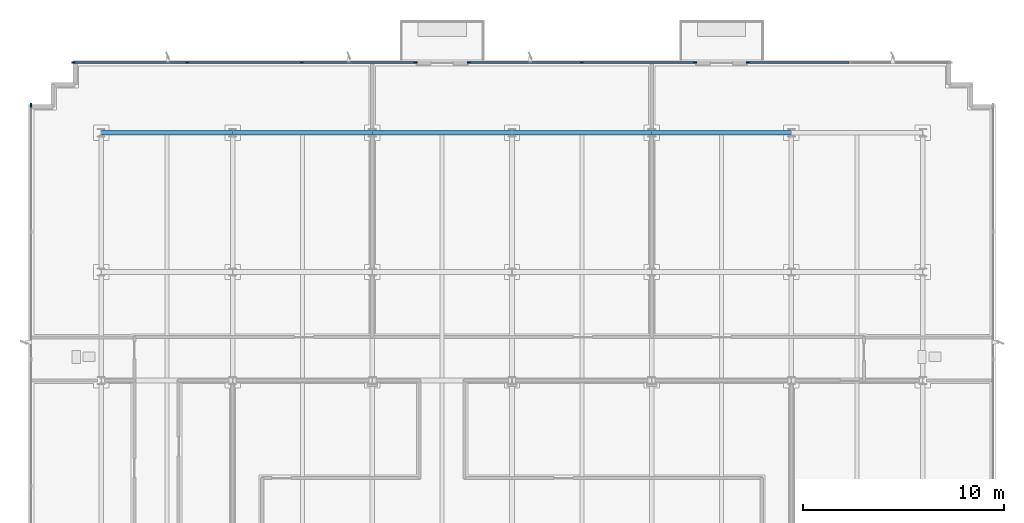
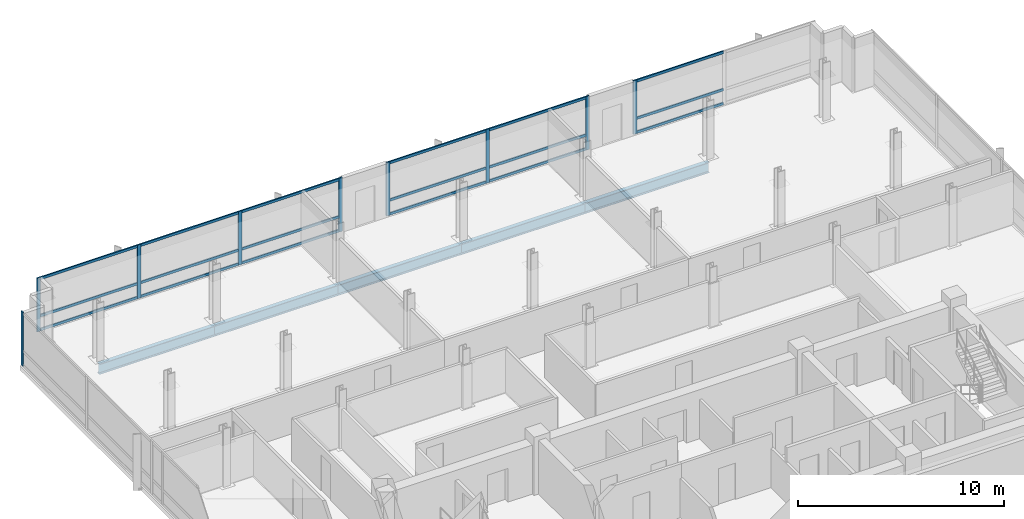
# One storey, part 5 of 15: 27 members, 5 beams, 4 elements without a shape of their own.
"""IFC4 building model written with IfcOpenShell, lengths in metres."""

from ifc_helpers import new_model, si_unit, direction, frame, origin, origin_2d, place, context, subcontext, project, spatial, rectangle, i_section, extrude, material, material_profile, profile_set, type_object, element, aggregate, save


model = new_model("IFC4")

# Units and contexts
model_context = context("Model", 3, precision=1e-05, world=origin(), true_north=direction((0.0, 1.0)))
body_context = subcontext(model_context, "Body", "Model", "MODEL_VIEW")
ifc_project = project(units=[si_unit("LENGTHUNIT", "METRE"), si_unit("AREAUNIT", "SQUARE_METRE"), si_unit("VOLUMEUNIT", "CUBIC_METRE"), si_unit("PLANEANGLEUNIT", "RADIAN"), si_unit("MASSUNIT", "GRAM", prefix="KILO")], contexts=[model_context])

# Site, building, storey
site_placement = place(None, origin())
site = spatial("IfcSite", under=ifc_project, at=site_placement, CompositionType="ELEMENT")
building_placement = place(site_placement, origin())
building = spatial("IfcBuilding", under=site, at=building_placement, Name="Solmavex Isthmus Hotel", CompositionType="ELEMENT")
storey_placement = place(building_placement, frame((0.0, 0.0, 273.0)))
storey = spatial("IfcBuildingStorey", under=building, at=storey_placement, Name="L74", CompositionType="ELEMENT", Elevation=273.0)

# Beams
ifc_material_1 = material(Name="Steel ASTM A992 Grade 50", Category="steel")
ifc_material_profile_1 = material_profile(ifc_material_1, i_section(OverallWidth=0.230224609375, OverallDepth=0.617431640625, WebThickness=0.01318359375, FlangeThickness=0.022216796875, FilletRadius=0.01513671875, at=origin_2d()), Name="W24X94")
ifc_profile_set_1 = profile_set([ifc_material_profile_1], Name="Steel ASTM A992 Grade 50")
beam_type = type_object("IfcBeamType", Name="BM-SP-W24X94", PredefinedType="SPANDREL", material=ifc_profile_set_1)
beam_placement = place(storey_placement, frame((-20.39990234375, 17.699951171875, -0.56884765625), z_axis=(1.0, 0.0, 0.0), x_axis=(0.0, 1.0, 0.0)))
element("IfcBeam", 1, at=beam_placement, inside=storey, type_object=beam_type, Name="Floor Girder L74-UG15", PredefinedType="SPANDREL", context=body_context, shape_type="SweptSolid", body=[
    extrude(i_section(OverallWidth=0.230224609375, OverallDepth=0.617431640625, WebThickness=0.01318359375, FlangeThickness=0.022216796875, FilletRadius=0.01513671875, at=origin_2d()), origin(), (0.0, 0.0, 1.0), 6.52783203125),
])
for number, where, z_axis, x_axis, name in (
    (2, (-13.8720703125, 17.699951171875, -0.56884765625), (1.0, 0.0, 0.0), (0.0, 1.0, 0.0), "Floor Girder L74-UG16"),
    (3, (-6.93603515625, 17.699951171875, -0.56884765625), (1.0, 0.0, 0.0), (0.0, 1.0, 0.0), "Floor Girder L74-UG17"),
    (4, (0.0, 17.699951171875, -0.56884765625), (1.0, 0.0, 0.0), (0.0, 1.0, 0.0), "Floor Girder L74-UG18"),
    (5, (6.93603515625, 17.699951171875, -0.56884765625), (1.0, 0.0, 0.0), (0.0, 1.0, 0.0), "Floor Girder L74-UG19"),
):
    element("IfcBeam", number, at=place(storey_placement, frame(where, z_axis=z_axis, x_axis=x_axis)), inside=storey, type_object=beam_type, Name=name, PredefinedType="SPANDREL", context=body_context, shape_type="SweptSolid", body=[
        extrude(i_section(OverallWidth=0.230224609375, OverallDepth=0.617431640625, WebThickness=0.01318359375, FlangeThickness=0.022216796875, FilletRadius=0.01513671875, at=origin_2d()), origin(), (0.0, 0.0, 1.0), 6.93603515625),
    ])

# Curtain wall, members
ifc_material_2 = material(Name="Aluminium alloy 6063-T6", Category="aluminium")
curtain_wall_type = type_object("IfcCurtainWallType", Name="CW-SYS-04", PredefinedType="NOTDEFINED", material=ifc_material_2)
curtain_wall_1_placement = place(storey_placement, origin())
curtain_wall_1 = element("IfcCurtainWall", 6, at=curtain_wall_1_placement, inside=storey, type_object=curtain_wall_type, Name="Stick Curtain Wall CWL-L74-N1", PredefinedType="NOTDEFINED")
ifc_material_profile_2 = material_profile(ifc_material_2, rectangle(XDim=0.074951171875, YDim=0.199951171875, at=origin_2d()), Name="CWM-75X200")
ifc_profile_set_2 = profile_set([ifc_material_profile_2], Name="Aluminium alloy 6063-T6")
member_type_1 = type_object("IfcMemberType", Name="CW-SYS-04-MUL", PredefinedType="MULLION", material=ifc_profile_set_2)
member_1_placement = place(storey_placement, frame((-21.762451171875, 21.179931640625, 0.0), z_axis=(0.0, 0.0, 1.0), x_axis=(0.0, 1.0, 0.0)))
member_1 = element("IfcMember", 7, at=member_1_placement, type_object=member_type_1, Name="CW-04 mullion 1", PredefinedType="MULLION", context=body_context, shape_type="SweptSolid", body=[
    extrude(rectangle(XDim=0.074951171875, YDim=0.199951171875, at=origin_2d()), origin(), (0.0, 0.0, 1.0), 3.18994140625),
])
member_2_placement = place(storey_placement, frame((-16.12255859375, 21.179931640625, 0.0), z_axis=(0.0, 0.0, 1.0), x_axis=(0.0, 1.0, 0.0)))
member_2 = element("IfcMember", 8, at=member_2_placement, type_object=member_type_1, Name="CW-04 mullion 2", PredefinedType="MULLION", context=body_context, shape_type="SweptSolid", body=[
    extrude(rectangle(XDim=0.074951171875, YDim=0.199951171875, at=origin_2d()), origin(), (0.0, 0.0, 1.0), 3.18994140625),
])
member_3_placement = place(storey_placement, frame((-10.4453125, 21.179931640625, 0.0), z_axis=(0.0, 0.0, 1.0), x_axis=(0.0, 1.0, 0.0)))
member_3 = element("IfcMember", 9, at=member_3_placement, type_object=member_type_1, Name="CW-04 mullion 3", PredefinedType="MULLION", context=body_context, shape_type="SweptSolid", body=[
    extrude(rectangle(XDim=0.074951171875, YDim=0.199951171875, at=origin_2d()), origin(), (0.0, 0.0, 1.0), 3.18994140625),
])
member_4_placement = place(storey_placement, frame((-4.805419921875, 21.179931640625, 0.0), z_axis=(0.0, 0.0, 1.0), x_axis=(0.0, 1.0, 0.0)))
member_4 = element("IfcMember", 10, at=member_4_placement, type_object=member_type_1, Name="CW-04 mullion 4", PredefinedType="MULLION", context=body_context, shape_type="SweptSolid", body=[
    extrude(rectangle(XDim=0.074951171875, YDim=0.199951171875, at=origin_2d()), origin(), (0.0, 0.0, 1.0), 3.18994140625),
])

curtain_wall_2_placement = place(storey_placement, origin())
curtain_wall_2 = element("IfcCurtainWall", 11, at=curtain_wall_2_placement, inside=storey, type_object=curtain_wall_type, Name="Stick Curtain Wall CWL-L74-N2", PredefinedType="NOTDEFINED")
member_5_placement = place(storey_placement, frame((-2.130615234375, 21.179931640625, 0.0), z_axis=(0.0, 0.0, 1.0), x_axis=(0.0, 1.0, 0.0)))
member_5 = element("IfcMember", 12, at=member_5_placement, type_object=member_type_1, Name="CW-04 mullion 1", PredefinedType="MULLION", context=body_context, shape_type="SweptSolid", body=[
    extrude(rectangle(XDim=0.074951171875, YDim=0.199951171875, at=origin_2d()), origin(), (0.0, 0.0, 1.0), 3.18994140625),
])
member_6_placement = place(storey_placement, frame((3.468017578125, 21.179931640625, 0.0), z_axis=(0.0, 0.0, 1.0), x_axis=(0.0, 1.0, 0.0)))
member_6 = element("IfcMember", 13, at=member_6_placement, type_object=member_type_1, Name="CW-04 mullion 2", PredefinedType="MULLION", context=body_context, shape_type="SweptSolid", body=[
    extrude(rectangle(XDim=0.074951171875, YDim=0.199951171875, at=origin_2d()), origin(), (0.0, 0.0, 1.0), 3.18994140625),
])
member_7_placement = place(storey_placement, frame((9.06640625, 21.179931640625, 0.0), z_axis=(0.0, 0.0, 1.0), x_axis=(0.0, 1.0, 0.0)))
member_7 = element("IfcMember", 14, at=member_7_placement, type_object=member_type_1, Name="CW-04 mullion 3", PredefinedType="MULLION", context=body_context, shape_type="SweptSolid", body=[
    extrude(rectangle(XDim=0.074951171875, YDim=0.199951171875, at=origin_2d()), origin(), (0.0, 0.0, 1.0), 3.18994140625),
])

# Curtain wall, member
curtain_wall_3_placement = place(storey_placement, origin())
curtain_wall_3 = element("IfcCurtainWall", 15, at=curtain_wall_3_placement, inside=storey, type_object=curtain_wall_type, Name="Stick Curtain Wall CWL-L74-N3", PredefinedType="NOTDEFINED")
member_8_placement = place(storey_placement, frame((11.741455078125, 21.179931640625, 0.0), z_axis=(0.0, 0.0, 1.0), x_axis=(0.0, 1.0, 0.0)))
member_8 = element("IfcMember", 16, at=member_8_placement, type_object=member_type_1, Name="CW-04 mullion 1", PredefinedType="MULLION", context=body_context, shape_type="SweptSolid", body=[
    extrude(rectangle(XDim=0.074951171875, YDim=0.199951171875, at=origin_2d()), origin(), (0.0, 0.0, 1.0), 3.18994140625),
])

curtain_wall_4_placement = place(storey_placement, origin())
curtain_wall_4 = element("IfcCurtainWall", 17, at=curtain_wall_4_placement, inside=storey, type_object=curtain_wall_type, Name="Stick Curtain Wall CWL-L74-W1", PredefinedType="NOTDEFINED")
member_9_placement = place(storey_placement, frame((-23.8798828125, 19.0625, 0.0), z_axis=(0.0, 0.0, 1.0), x_axis=(-1.0, 0.0, 0.0)))
member_9 = element("IfcMember", 18, at=member_9_placement, type_object=member_type_1, Name="CW-04 mullion 6", PredefinedType="MULLION", context=body_context, shape_type="SweptSolid", body=[
    extrude(rectangle(XDim=0.074951171875, YDim=0.199951171875, at=origin_2d()), origin(), (0.0, 0.0, 1.0), 3.18994140625),
])
aggregate(curtain_wall_4, [member_9])

# Member
ifc_material_profile_3 = material_profile(ifc_material_2, rectangle(XDim=0.074951171875, YDim=0.14990234375, at=origin_2d()), Name="CWT-75X150")
ifc_profile_set_3 = profile_set([ifc_material_profile_3], Name="Aluminium alloy 6063-T6")
member_type_2 = type_object("IfcMemberType", Name="CW-SYS-04-TRN", PredefinedType="USERDEFINED", material=ifc_profile_set_3)
member_10_placement = place(storey_placement, frame((-21.72509765625, 21.179931640625, 0.074951171875), z_axis=(1.0, 0.0, 0.0), x_axis=(0.0, 1.0, 0.0)))
member_10 = element("IfcMember", 19, at=member_10_placement, type_object=member_type_2, Name="CW-04 transom 1.1", ObjectType="TRANSOM", PredefinedType="USERDEFINED", context=body_context, shape_type="SweptSolid", body=[
    extrude(rectangle(XDim=0.074951171875, YDim=0.14990234375, at=origin_2d()), origin(), (0.0, 0.0, 1.0), 5.56494140625),
])

member_11_placement = place(storey_placement, frame((-21.72509765625, 21.179931640625, 0.89990234375), z_axis=(1.0, 0.0, 0.0), x_axis=(0.0, 1.0, 0.0)))
member_11 = element("IfcMember", 20, at=member_11_placement, type_object=member_type_2, Name="CW-04 transom 1.2", ObjectType="TRANSOM", PredefinedType="USERDEFINED", context=body_context, shape_type="SweptSolid", body=[
    extrude(rectangle(XDim=0.074951171875, YDim=0.14990234375, at=origin_2d()), origin(), (0.0, 0.0, 1.0), 5.56494140625),
])

member_12_placement = place(storey_placement, frame((-21.72509765625, 21.179931640625, 3.114990234375), z_axis=(1.0, 0.0, 0.0), x_axis=(0.0, 1.0, 0.0)))
member_12 = element("IfcMember", 21, at=member_12_placement, type_object=member_type_2, Name="CW-04 transom 1.3", ObjectType="TRANSOM", PredefinedType="USERDEFINED", context=body_context, shape_type="SweptSolid", body=[
    extrude(rectangle(XDim=0.074951171875, YDim=0.14990234375, at=origin_2d()), origin(), (0.0, 0.0, 1.0), 5.56494140625),
])

member_13_placement = place(storey_placement, frame((-16.085205078125, 21.179931640625, 0.074951171875), z_axis=(1.0, 0.0, 0.0), x_axis=(0.0, 1.0, 0.0)))
member_13 = element("IfcMember", 22, at=member_13_placement, type_object=member_type_2, Name="CW-04 transom 2.1", ObjectType="TRANSOM", PredefinedType="USERDEFINED", context=body_context, shape_type="SweptSolid", body=[
    extrude(rectangle(XDim=0.074951171875, YDim=0.14990234375, at=origin_2d()), origin(), (0.0, 0.0, 1.0), 5.602294921875),
])

member_14_placement = place(storey_placement, frame((-16.085205078125, 21.179931640625, 0.89990234375), z_axis=(1.0, 0.0, 0.0), x_axis=(0.0, 1.0, 0.0)))
member_14 = element("IfcMember", 23, at=member_14_placement, type_object=member_type_2, Name="CW-04 transom 2.2", ObjectType="TRANSOM", PredefinedType="USERDEFINED", context=body_context, shape_type="SweptSolid", body=[
    extrude(rectangle(XDim=0.074951171875, YDim=0.14990234375, at=origin_2d()), origin(), (0.0, 0.0, 1.0), 5.602294921875),
])

member_15_placement = place(storey_placement, frame((-16.085205078125, 21.179931640625, 3.114990234375), z_axis=(1.0, 0.0, 0.0), x_axis=(0.0, 1.0, 0.0)))
member_15 = element("IfcMember", 24, at=member_15_placement, type_object=member_type_2, Name="CW-04 transom 2.3", ObjectType="TRANSOM", PredefinedType="USERDEFINED", context=body_context, shape_type="SweptSolid", body=[
    extrude(rectangle(XDim=0.074951171875, YDim=0.14990234375, at=origin_2d()), origin(), (0.0, 0.0, 1.0), 5.602294921875),
])

member_16_placement = place(storey_placement, frame((-10.40771484375, 21.179931640625, 0.074951171875), z_axis=(1.0, 0.0, 0.0), x_axis=(0.0, 1.0, 0.0)))
member_16 = element("IfcMember", 25, at=member_16_placement, type_object=member_type_2, Name="CW-04 transom 3.1", ObjectType="TRANSOM", PredefinedType="USERDEFINED", context=body_context, shape_type="SweptSolid", body=[
    extrude(rectangle(XDim=0.074951171875, YDim=0.14990234375, at=origin_2d()), origin(), (0.0, 0.0, 1.0), 5.564697265625),
])

member_17_placement = place(storey_placement, frame((-10.40771484375, 21.179931640625, 0.89990234375), z_axis=(1.0, 0.0, 0.0), x_axis=(0.0, 1.0, 0.0)))
member_17 = element("IfcMember", 26, at=member_17_placement, type_object=member_type_2, Name="CW-04 transom 3.2", ObjectType="TRANSOM", PredefinedType="USERDEFINED", context=body_context, shape_type="SweptSolid", body=[
    extrude(rectangle(XDim=0.074951171875, YDim=0.14990234375, at=origin_2d()), origin(), (0.0, 0.0, 1.0), 5.564697265625),
])

member_18_placement = place(storey_placement, frame((-10.40771484375, 21.179931640625, 3.114990234375), z_axis=(1.0, 0.0, 0.0), x_axis=(0.0, 1.0, 0.0)))
member_18 = element("IfcMember", 27, at=member_18_placement, type_object=member_type_2, Name="CW-04 transom 3.3", ObjectType="TRANSOM", PredefinedType="USERDEFINED", context=body_context, shape_type="SweptSolid", body=[
    extrude(rectangle(XDim=0.074951171875, YDim=0.14990234375, at=origin_2d()), origin(), (0.0, 0.0, 1.0), 5.564697265625),
])

aggregate(curtain_wall_1, [member_1, member_2, member_3, member_4, member_10, member_11, member_12, member_13, member_14, member_15, member_16, member_17, member_18])

member_19_placement = place(storey_placement, frame((-2.093017578125, 21.179931640625, 0.074951171875), z_axis=(1.0, 0.0, 0.0), x_axis=(0.0, 1.0, 0.0)))
member_19 = element("IfcMember", 28, at=member_19_placement, type_object=member_type_2, Name="CW-04 transom 1.1", ObjectType="TRANSOM", PredefinedType="USERDEFINED", context=body_context, shape_type="SweptSolid", body=[
    extrude(rectangle(XDim=0.074951171875, YDim=0.14990234375, at=origin_2d()), origin(), (0.0, 0.0, 1.0), 5.5234375),
])

member_20_placement = place(storey_placement, frame((-2.093017578125, 21.179931640625, 0.89990234375), z_axis=(1.0, 0.0, 0.0), x_axis=(0.0, 1.0, 0.0)))
member_20 = element("IfcMember", 29, at=member_20_placement, type_object=member_type_2, Name="CW-04 transom 1.2", ObjectType="TRANSOM", PredefinedType="USERDEFINED", context=body_context, shape_type="SweptSolid", body=[
    extrude(rectangle(XDim=0.074951171875, YDim=0.14990234375, at=origin_2d()), origin(), (0.0, 0.0, 1.0), 5.5234375),
])

member_21_placement = place(storey_placement, frame((-2.093017578125, 21.179931640625, 3.114990234375), z_axis=(1.0, 0.0, 0.0), x_axis=(0.0, 1.0, 0.0)))
member_21 = element("IfcMember", 30, at=member_21_placement, type_object=member_type_2, Name="CW-04 transom 1.3", ObjectType="TRANSOM", PredefinedType="USERDEFINED", context=body_context, shape_type="SweptSolid", body=[
    extrude(rectangle(XDim=0.074951171875, YDim=0.14990234375, at=origin_2d()), origin(), (0.0, 0.0, 1.0), 5.5234375),
])

member_22_placement = place(storey_placement, frame((3.505615234375, 21.179931640625, 0.074951171875), z_axis=(1.0, 0.0, 0.0), x_axis=(0.0, 1.0, 0.0)))
member_22 = element("IfcMember", 31, at=member_22_placement, type_object=member_type_2, Name="CW-04 transom 2.1", ObjectType="TRANSOM", PredefinedType="USERDEFINED", context=body_context, shape_type="SweptSolid", body=[
    extrude(rectangle(XDim=0.074951171875, YDim=0.14990234375, at=origin_2d()), origin(), (0.0, 0.0, 1.0), 5.5234375),
])

member_23_placement = place(storey_placement, frame((3.505615234375, 21.179931640625, 0.89990234375), z_axis=(1.0, 0.0, 0.0), x_axis=(0.0, 1.0, 0.0)))
member_23 = element("IfcMember", 32, at=member_23_placement, type_object=member_type_2, Name="CW-04 transom 2.2", ObjectType="TRANSOM", PredefinedType="USERDEFINED", context=body_context, shape_type="SweptSolid", body=[
    extrude(rectangle(XDim=0.074951171875, YDim=0.14990234375, at=origin_2d()), origin(), (0.0, 0.0, 1.0), 5.5234375),
])

member_24_placement = place(storey_placement, frame((3.505615234375, 21.179931640625, 3.114990234375), z_axis=(1.0, 0.0, 0.0), x_axis=(0.0, 1.0, 0.0)))
member_24 = element("IfcMember", 33, at=member_24_placement, type_object=member_type_2, Name="CW-04 transom 2.3", ObjectType="TRANSOM", PredefinedType="USERDEFINED", context=body_context, shape_type="SweptSolid", body=[
    extrude(rectangle(XDim=0.074951171875, YDim=0.14990234375, at=origin_2d()), origin(), (0.0, 0.0, 1.0), 5.5234375),
])

aggregate(curtain_wall_2, [member_5, member_6, member_7, member_19, member_20, member_21, member_22, member_23, member_24])

member_25_placement = place(storey_placement, frame((11.779052734375, 21.179931640625, 0.074951171875), z_axis=(1.0, 0.0, 0.0), x_axis=(0.0, 1.0, 0.0)))
member_25 = element("IfcMember", 34, at=member_25_placement, type_object=member_type_2, Name="CW-04 transom 1.1", ObjectType="TRANSOM", PredefinedType="USERDEFINED", context=body_context, shape_type="SweptSolid", body=[
    extrude(rectangle(XDim=0.074951171875, YDim=0.14990234375, at=origin_2d()), origin(), (0.0, 0.0, 1.0), 4.935546875),
])

member_26_placement = place(storey_placement, frame((11.779052734375, 21.179931640625, 0.89990234375), z_axis=(1.0, 0.0, 0.0), x_axis=(0.0, 1.0, 0.0)))
member_26 = element("IfcMember", 35, at=member_26_placement, type_object=member_type_2, Name="CW-04 transom 1.2", ObjectType="TRANSOM", PredefinedType="USERDEFINED", context=body_context, shape_type="SweptSolid", body=[
    extrude(rectangle(XDim=0.074951171875, YDim=0.14990234375, at=origin_2d()), origin(), (0.0, 0.0, 1.0), 4.935546875),
])

member_27_placement = place(storey_placement, frame((11.779052734375, 21.179931640625, 3.114990234375), z_axis=(1.0, 0.0, 0.0), x_axis=(0.0, 1.0, 0.0)))
member_27 = element("IfcMember", 36, at=member_27_placement, type_object=member_type_2, Name="CW-04 transom 1.3", ObjectType="TRANSOM", PredefinedType="USERDEFINED", context=body_context, shape_type="SweptSolid", body=[
    extrude(rectangle(XDim=0.074951171875, YDim=0.14990234375, at=origin_2d()), origin(), (0.0, 0.0, 1.0), 4.935546875),
])

aggregate(curtain_wall_3, [member_8, member_25, member_26, member_27])

save(model, "model.ifc")
